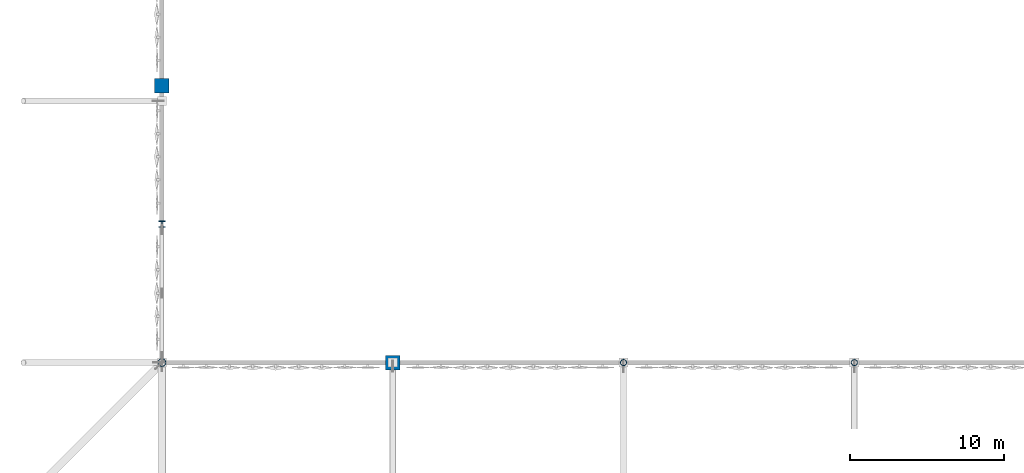
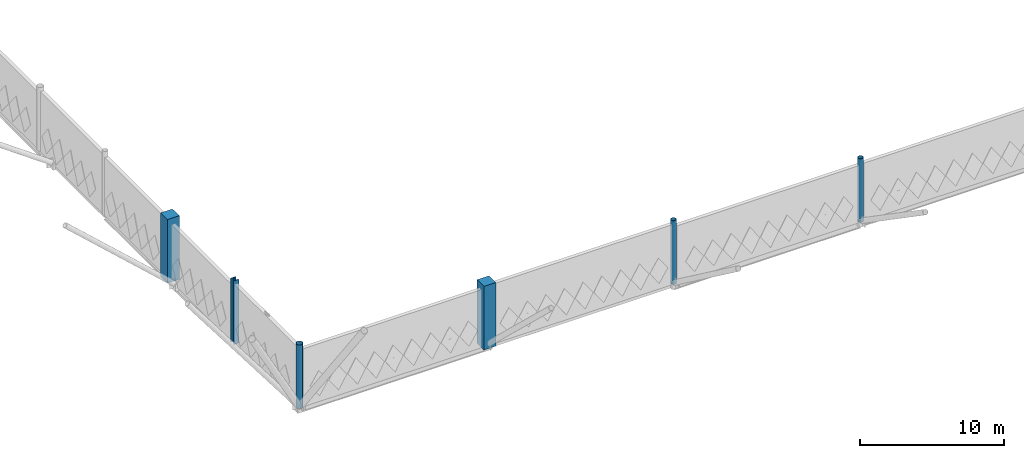
# One storey, part 1 of 119: 6 columns.
"""IFC4 building model written with IfcOpenShell, lengths in metres."""

from ifc_helpers import new_model, si_unit, direction, frame, origin, origin_2d, place, context, subcontext, project, spatial, rectangle, hollow_circle, i_section, extrude, material, material_profile, profile_set, type_object, element, save


model = new_model("IFC4")

# Units and contexts
model_context = context("Model", 3, precision=1e-05, world=origin(), true_north=direction((0.0, 1.0)))
body_context = subcontext(model_context, "Body", "Model", "MODEL_VIEW")
ifc_project = project(units=[si_unit("LENGTHUNIT", "METRE"), si_unit("AREAUNIT", "SQUARE_METRE"), si_unit("VOLUMEUNIT", "CUBIC_METRE"), si_unit("PLANEANGLEUNIT", "RADIAN"), si_unit("MASSUNIT", "GRAM", prefix="KILO")], contexts=[model_context])

# Site, building, storey
site_placement = place(None, origin())
site = spatial("IfcSite", under=ifc_project, at=site_placement, CompositionType="ELEMENT")
building_placement = place(site_placement, origin())
building = spatial("IfcBuilding", under=site, at=building_placement, Name="Qamarlyn Nura Convention Centre", CompositionType="ELEMENT")
storey_placement = place(building_placement, frame((0.0, 0.0, 5.39990234375)))
storey = spatial("IfcBuildingStorey", under=building, at=storey_placement, Name="L01", CompositionType="ELEMENT", Elevation=5.39990234375)

# Columns
ifc_material_1 = material(Name="Pearl-white PVDF steel ASTM A500 Grade C", Category="steel")
ifc_material_profile_1 = material_profile(ifc_material_1, hollow_circle(Radius=0.25390625, WallThickness=0.02001953125, at=origin_2d()), Name="CHS508X20")
ifc_profile_set_1 = profile_set([ifc_material_profile_1], Name="Pearl-white PVDF steel ASTM A500 Grade C")
column_type_1 = type_object("IfcColumnType", Name="COL-HALL-1", PredefinedType="COLUMN", material=ifc_profile_set_1)
column_1_placement = place(storey_placement, frame((0.0, 18.0, 0.0), z_axis=(0.0, 0.0, 1.0), x_axis=(1.0, 0.0, 0.0)))
element("IfcColumn", 1, at=column_1_placement, inside=storey, type_object=column_type_1, Name="L01 column 1/C", PredefinedType="COLUMN", context=body_context, shape_type="SweptSolid", body=[
    extrude(hollow_circle(Radius=0.25390625, WallThickness=0.02001953125, at=origin_2d()), origin(), (0.0, 0.0, 1.0), 5.400146484375),
])
ifc_material_2 = material(Name="Concrete C50/60", Category="concrete")
ifc_material_profile_2 = material_profile(ifc_material_2, rectangle(XDim=0.949951171875, YDim=0.949951171875, at=origin_2d()), Name="RC 950x950")
ifc_profile_set_2 = profile_set([ifc_material_profile_2], Name="Concrete C50/60")
column_type_2 = type_object("IfcColumnType", Name="COL-HALL-2", PredefinedType="COLUMN", material=ifc_profile_set_2)
for number, where, z_axis, x_axis, name in (
    (2, (0.0, 36.0, 0.0), (0.0, 0.0, 1.0), (1.0, 0.0, 0.0), "L01 column 1/E"),
    (3, (15.0, 18.0, 0.0), (0.0, 0.0, 1.0), (1.0, 0.0, 0.0), "L01 column 2/C"),
):
    element("IfcColumn", number, at=place(storey_placement, frame(where, z_axis=z_axis, x_axis=x_axis)), inside=storey, type_object=column_type_2, Name=name, PredefinedType="COLUMN", context=body_context, shape_type="SweptSolid", body=[
        extrude(rectangle(XDim=0.949951171875, YDim=0.949951171875, at=origin_2d()), origin(), (0.0, 0.0, 1.0), 5.400146484375),
    ])
ifc_material_3 = material(Name="Steel ASTM A992", Category="steel")
ifc_material_profile_3 = material_profile(ifc_material_3, i_section(OverallWidth=0.408935546875, OverallDepth=0.425048828125, WebThickness=0.030517578125, FlangeThickness=0.049072265625, FilletRadius=0.02001953125, at=origin_2d()), Name="W360X421")
ifc_profile_set_3 = profile_set([ifc_material_profile_3], Name="Steel ASTM A992")
column_type_3 = type_object("IfcColumnType", Name="COL-MEGA-1", PredefinedType="COLUMN", material=ifc_profile_set_3)
column_2_placement = place(storey_placement, frame((0.0, 27.0, 0.0), z_axis=(0.0, 0.0, 1.0), x_axis=(1.0, 0.0, 0.0)))
element("IfcColumn", 4, at=column_2_placement, inside=storey, type_object=column_type_3, Name="L01 column 1/D", PredefinedType="COLUMN", context=body_context, shape_type="SweptSolid", body=[
    extrude(i_section(OverallWidth=0.408935546875, OverallDepth=0.425048828125, WebThickness=0.030517578125, FlangeThickness=0.049072265625, FilletRadius=0.02001953125, at=origin_2d()), origin(), (0.0, 0.0, 1.0), 5.400146484375),
])
ifc_material_profile_4 = material_profile(ifc_material_1, hollow_circle(Radius=0.203125, WallThickness=0.01611328125, at=origin_2d()), Name="CHS406.4X16")
ifc_profile_set_4 = profile_set([ifc_material_profile_4], Name="Pearl-white PVDF steel ASTM A500 Grade C")
column_type_4 = type_object("IfcColumnType", Name="COL-TUBE-1", PredefinedType="COLUMN", material=ifc_profile_set_4)
for number, where, z_axis, x_axis, name in (
    (5, (30.0, 18.0, 0.0), (0.0, 0.0, 1.0), (1.0, 0.0, 0.0), "L01 column 3/C"),
    (6, (45.0, 18.0, 0.0), (0.0, 0.0, 1.0), (1.0, 0.0, 0.0), "L01 column 4/C"),
):
    element("IfcColumn", number, at=place(storey_placement, frame(where, z_axis=z_axis, x_axis=x_axis)), inside=storey, type_object=column_type_4, Name=name, PredefinedType="COLUMN", context=body_context, shape_type="SweptSolid", body=[
        extrude(hollow_circle(Radius=0.203125, WallThickness=0.01611328125, at=origin_2d()), origin(), (0.0, 0.0, 1.0), 5.400146484375),
    ])

save(model, "model.ifc")
